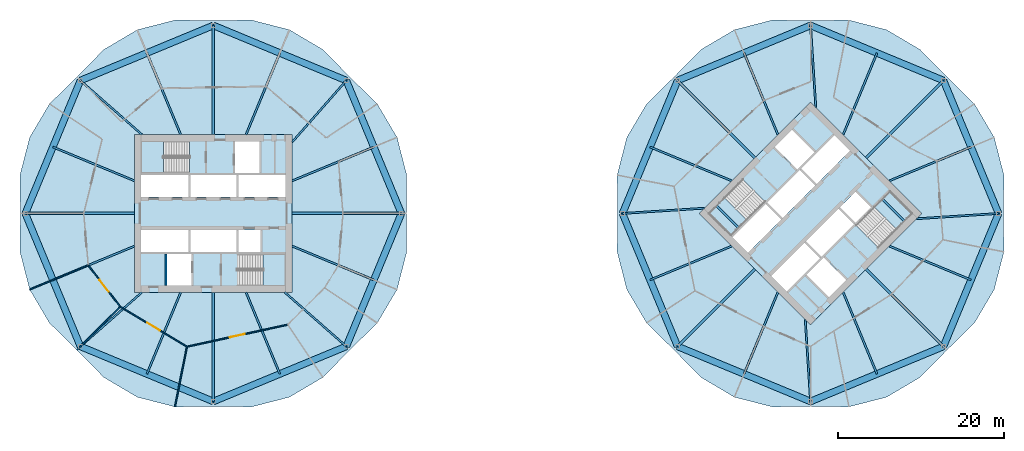
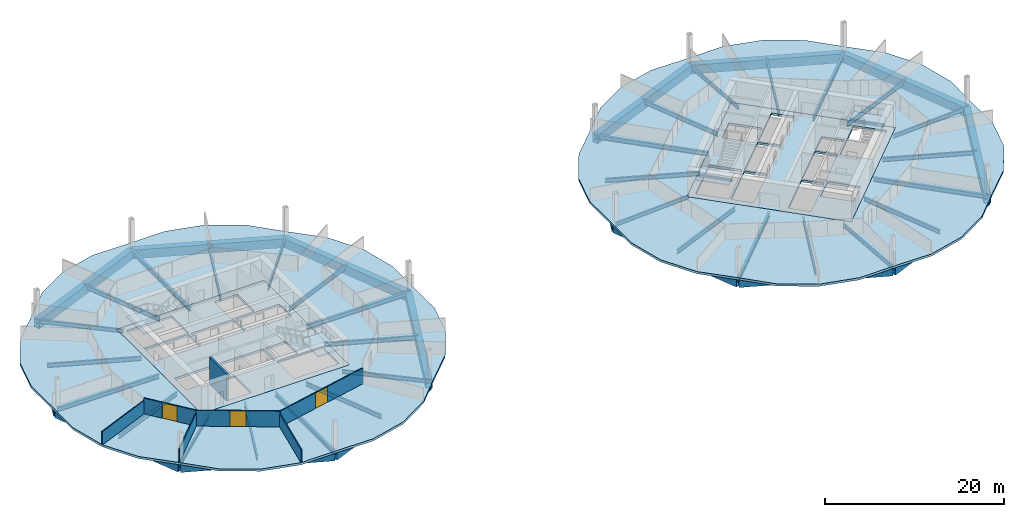
# One storey, part 3 of 9: 50 beams, 8 slabs, 7 walls, 3 doors, 3 openings, 4 elements without a shape of their own.
"""IFC4 building model written with IfcOpenShell, lengths in metres."""

from ifc_helpers import new_model, si_unit, direction, frame, frame_2d, origin, origin_2d, place, context, subcontext, project, spatial, polyline, rectangle, hollow_rectangle, i_section, outline, extrude, material, layer, layer_set, material_profile, profile_set, type_object, element, fill, aggregate, save


model = new_model("IFC4")

# Units and contexts
model_context = context("Model", 3, precision=1e-05, world=origin(), true_north=direction((0.0, 1.0)))
body_context = subcontext(model_context, "Body", "Model", "MODEL_VIEW")
ifc_project = project(units=[si_unit("LENGTHUNIT", "METRE"), si_unit("AREAUNIT", "SQUARE_METRE"), si_unit("VOLUMEUNIT", "CUBIC_METRE"), si_unit("PLANEANGLEUNIT", "RADIAN"), si_unit("MASSUNIT", "GRAM", prefix="KILO")], contexts=[model_context])

# Site, building, storey
site_placement = place(None, origin())
site = spatial("IfcSite", under=ifc_project, at=site_placement, CompositionType="ELEMENT")
building_placement = place(site_placement, origin())
building = spatial("IfcBuilding", under=site, at=building_placement, Name="Ogive Gate Towers", CompositionType="ELEMENT")
storey_placement = place(building_placement, frame((0.0, 0.0, 91.800048828125)))
storey = spatial("IfcBuildingStorey", under=building, at=storey_placement, Name="L21", CompositionType="ELEMENT", Elevation=91.800048828125)

# Beams
ifc_material_1 = material(Name="Steel SM460", Category="steel")
ifc_material_profile_1 = material_profile(ifc_material_1, hollow_rectangle(XDim=0.800048828125, YDim=1.199951171875, WallThickness=0.050048828125, at=origin_2d()), Name="BX 1200x800x50")
ifc_profile_set_1 = profile_set([ifc_material_profile_1], Name="Steel SM460")
beam_type_1 = type_object("IfcBeamType", Name="Edge girder BX 1200x800x50", PredefinedType="BEAM", material=ifc_profile_set_1)
for number, where, z_axis, x_axis, name in (
    (1, (-52.030029296875, -16.030029296875, -0.900146484375), (0.923878777792, -0.382685254414, 0.0), (0.382685254414, 0.923878777792, 0.0), "T1/L21/SBM017"),
    (2, (-36.0, -22.669921875, -0.900146484375), (0.923878777792, 0.382685254414, 0.0), (-0.382685254414, 0.923878777792, 0.0), "T1/L21/SBM018"),
    (3, (-19.969970703125, -16.030029296875, -0.900146484375), (0.382685254414, 0.923878777792, 0.0), (-0.923878777792, 0.382685254414, 0.0), "T1/L21/SBM019"),
    (4, (-13.330078125, 0.0, -0.900146484375), (-0.382685254414, 0.923878777792, 0.0), (-0.923878777792, -0.382685254414, 0.0), "T1/L21/SBM020"),
    (5, (-19.969970703125, 16.030029296875, -0.900146484375), (-0.923878777792, 0.382685254414, 0.0), (-0.382685254414, -0.923878777792, 0.0), "T1/L21/SBM021"),
    (6, (-36.0, 22.669921875, -0.900146484375), (-0.923878777792, -0.382685254414, 0.0), (0.382685254414, -0.923878777792, 0.0), "T1/L21/SBM022"),
    (7, (-52.030029296875, 16.030029296875, -0.900146484375), (-0.382685254414, -0.923878777792, 0.0), (0.923878777792, -0.382685254414, 0.0), "T1/L21/SBM023"),
    (8, (-58.669921875, 0.0, -0.900146484375), (0.382685254414, -0.923878777792, 0.0), (0.923878777792, 0.382685254414, 0.0), "T1/L21/SBM024"),
    (9, (19.969970703125, -16.030029296875, -0.900146484375), (0.923878777792, -0.382685254414, 0.0), (0.382685254414, 0.923878777792, 0.0), "T2/L21/SBM017"),
    (10, (36.0, -22.669921875, -0.900146484375), (0.923878777792, 0.382685254414, 0.0), (-0.382685254414, 0.923878777792, 0.0), "T2/L21/SBM018"),
    (11, (52.030029296875, -16.030029296875, -0.900146484375), (0.382685254414, 0.923878777792, 0.0), (-0.923878777792, 0.382685254414, 0.0), "T2/L21/SBM019"),
    (12, (58.669921875, 0.0, -0.900146484375), (-0.382685254414, 0.923878777792, 0.0), (-0.923878777792, -0.382685254414, 0.0), "T2/L21/SBM020"),
    (13, (52.030029296875, 16.030029296875, -0.900146484375), (-0.923878777792, 0.382685254414, 0.0), (-0.382685254414, -0.923878777792, 0.0), "T2/L21/SBM021"),
    (14, (36.0, 22.669921875, -0.900146484375), (-0.923878777792, -0.382685254414, 0.0), (0.382685254414, -0.923878777792, 0.0), "T2/L21/SBM022"),
    (15, (19.969970703125, 16.030029296875, -0.900146484375), (-0.382685254414, -0.923878777792, 0.0), (0.923878777792, -0.382685254414, 0.0), "T2/L21/SBM023"),
    (16, (13.330078125, 0.0, -0.900146484375), (0.382685254414, -0.923878777792, 0.0), (0.923878777792, 0.382685254414, 0.0), "T2/L21/SBM024"),
):
    element("IfcBeam", number, at=place(storey_placement, frame(where, z_axis=z_axis, x_axis=x_axis)), inside=storey, type_object=beam_type_1, Name=name, PredefinedType="BEAM", context=body_context, shape_type="SweptSolid", body=[
        extrude(hollow_rectangle(XDim=0.800048828125, YDim=1.199951171875, WallThickness=0.050048828125, at=origin_2d()), origin(), (0.0, 0.0, 1.0), 17.350830078125),
    ])
ifc_material_2 = material(Name="Concrete C40/50", Category="concrete")
ifc_material_profile_2 = material_profile(ifc_material_2, rectangle(XDim=0.25, YDim=0.300048828125, at=origin_2d()), Name="RC 250x300")
ifc_profile_set_2 = profile_set([ifc_material_profile_2], Name="Concrete C40/50")
beam_type_2 = type_object("IfcBeamType", Name="Landing bearer RC 250x300", PredefinedType="BEAM", material=ifc_profile_set_2)
for number, where, z_axis, x_axis, name in (
    (17, (24.650390625, 0.9541015625, 1.599853515625), (0.707106781187, -0.707106781187, 0.0), (0.707106781187, 0.707106781187, 0.0), "T2 L21 stair 1 landing bearer 1"),
    (18, (47.349609375, -0.9541015625, 1.599853515625), (-0.707106781187, 0.707106781187, 0.0), (-0.707106781187, -0.707106781187, 0.0), "T2 L21 stair 2 landing bearer 1"),
):
    element("IfcBeam", number, at=place(storey_placement, frame(where, z_axis=z_axis, x_axis=x_axis)), inside=storey, type_object=beam_type_2, Name=name, PredefinedType="BEAM", context=body_context, shape_type="SweptSolid", body=[
        extrude(rectangle(XDim=0.25, YDim=0.300048828125, at=origin_2d()), origin(), (0.0, 0.0, 1.0), 3.824951171875),
    ])
ifc_material_3 = material(Name="Steel SM355", Category="steel")
ifc_material_profile_3 = material_profile(ifc_material_3, i_section(OverallWidth=0.300048828125, OverallDepth=0.590087890625, WebThickness=0.012939453125, FlangeThickness=0.02490234375, FilletRadius=0.027099609375, at=origin_2d()), Name="HE 600 A")
ifc_profile_set_3 = profile_set([ifc_material_profile_3], Name="Steel SM355")
beam_type_3 = type_object("IfcBeamType", Name="Radial floor beam HE 600 A", PredefinedType="BEAM", material=ifc_profile_set_3)
for number, where, z_axis, x_axis, name in (
    (19, (-36.0, -9.5, -0.594970703125), (0.0, -1.0, 0.0), (1.0, 0.0, 0.0), "T1/L21/SBM003"),
    (20, (-26.5, 0.0, -0.594970703125), (1.0, 0.0, 0.0), (0.0, 1.0, 0.0), "T1/L21/SBM007"),
    (21, (-36.0, 9.5, -0.594970703125), (0.0, 1.0, 0.0), (-1.0, 0.0, 0.0), "T1/L21/SBM011"),
    (22, (-45.5, 0.0, -0.594970703125), (-1.0, 0.0, 0.0), (0.0, -1.0, 0.0), "T1/L21/SBM015"),
    (23, (29.282470703125, -6.717529296875, -0.594970703125), (-0.707106781187, -0.707106781187, 0.0), (0.707106781187, -0.707106781187, 0.0), "T2/L21/SBM001"),
    (24, (42.717529296875, -6.717529296875, -0.594970703125), (0.707106781187, -0.707106781187, 0.0), (0.707106781187, 0.707106781187, 0.0), "T2/L21/SBM005"),
    (25, (42.717529296875, 6.717529296875, -0.594970703125), (0.707106781187, 0.707106781187, 0.0), (-0.707106781187, 0.707106781187, 0.0), "T2/L21/SBM009"),
    (26, (29.282470703125, 6.717529296875, -0.594970703125), (-0.707106781187, 0.707106781187, 0.0), (-0.707106781187, -0.707106781187, 0.0), "T2/L21/SBM013"),
):
    element("IfcBeam", number, at=place(storey_placement, frame(where, z_axis=z_axis, x_axis=x_axis)), inside=storey, type_object=beam_type_3, Name=name, PredefinedType="BEAM", context=body_context, shape_type="SweptSolid", body=[
        extrude(i_section(OverallWidth=0.300048828125, OverallDepth=0.590087890625, WebThickness=0.012939453125, FlangeThickness=0.02490234375, FilletRadius=0.027099609375, at=origin_2d()), origin(), (0.0, 0.0, 1.0), 13.169921875),
    ])
ifc_material_profile_4 = material_profile(ifc_material_3, i_section(OverallWidth=0.2099609375, OverallDepth=0.550048828125, WebThickness=0.010986328125, FlangeThickness=0.01708984375, FilletRadius=0.02392578125, at=origin_2d()), Name="IPE 550")
ifc_profile_set_4 = profile_set([ifc_material_profile_4], Name="Steel SM355")
beam_type_4 = type_object("IfcBeamType", Name="Radial floor beam IPE 550", PredefinedType="BEAM", material=ifc_profile_set_4)
for number, where, z_axis, x_axis, name in (
    (27, (-44.60009765625, -9.5, -0.574951171875), (-0.751130036477, -0.660154276137, 0.0), (0.660154276137, -0.751130036477, 0.0), "T1/L21/SBM001"),
    (28, (-27.39990234375, -9.5, -0.574951171875), (0.751130036477, -0.660154276137, 0.0), (0.660154276137, 0.751130036477, 0.0), "T1/L21/SBM005"),
    (29, (-26.5, 8.60009765625, -0.574951171875), (0.660154276137, 0.751130036477, 0.0), (-0.751130036477, 0.660154276137, 0.0), "T1/L21/SBM009"),
    (30, (-44.60009765625, 9.5, -0.574951171875), (-0.751130036477, 0.660154276137, 0.0), (-0.660154276137, -0.751130036477, 0.0), "T1/L21/SBM013"),
):
    element("IfcBeam", number, at=place(storey_placement, frame(where, z_axis=z_axis, x_axis=x_axis)), inside=storey, type_object=beam_type_4, Name=name, PredefinedType="BEAM", context=body_context, shape_type="SweptSolid", body=[
        extrude(i_section(OverallWidth=0.2099609375, OverallDepth=0.550048828125, WebThickness=0.010986328125, FlangeThickness=0.01708984375, FilletRadius=0.02392578125, at=origin_2d()), origin(), (0.0, 0.0, 1.0), 9.8916015625),
    ])
for number, where, z_axis, x_axis, name in (
    (31, (35.363525390625, -12.798583984375, -0.574951171875), (0.064343427717, -0.997927814679, 0.0), (0.997927814679, 0.064343427717, 0.0), "T2/L21/SBM003"),
    (32, (48.798583984375, -0.636474609375, -0.574951171875), (0.997927814679, 0.064343427717, 0.0), (-0.064343427717, 0.997927814679, 0.0), "T2/L21/SBM007"),
    (33, (36.636474609375, 12.798583984375, -0.574951171875), (-0.064343427717, 0.997927814679, 0.0), (-0.997927814679, -0.064343427717, 0.0), "T2/L21/SBM011"),
    (34, (23.201416015625, 0.636474609375, -0.574951171875), (-0.997927814679, -0.064343427717, 0.0), (0.064343427717, -0.997927814679, 0.0), "T2/L21/SBM015"),
):
    element("IfcBeam", number, at=place(storey_placement, frame(where, z_axis=z_axis, x_axis=x_axis)), inside=storey, type_object=beam_type_4, Name=name, PredefinedType="BEAM", context=body_context, shape_type="SweptSolid", body=[
        extrude(i_section(OverallWidth=0.2099609375, OverallDepth=0.550048828125, WebThickness=0.010986328125, FlangeThickness=0.01708984375, FilletRadius=0.02392578125, at=origin_2d()), origin(), (0.0, 0.0, 1.0), 9.891845703125),
    ])
ifc_material_profile_5 = material_profile(ifc_material_3, i_section(OverallWidth=0.219970703125, OverallDepth=0.60009765625, WebThickness=0.011962890625, FlangeThickness=0.01904296875, FilletRadius=0.02392578125, at=origin_2d()), Name="IPE 600")
ifc_profile_set_5 = profile_set([ifc_material_profile_5], Name="Steel SM355")
beam_type_5 = type_object("IfcBeamType", Name="Radial floor beam IPE 600", PredefinedType="BEAM", material=ifc_profile_set_5)
for number, where, z_axis, x_axis, name in (
    (35, (-39.93505859375, -9.5, -0.60009765625), (-0.382686161148, -0.923878402208, 0.0), (0.923878402208, -0.382686161148, 0.0), "T1/L21/SBM002"),
    (36, (-32.06494140625, -9.5, -0.60009765625), (0.382686161148, -0.923878402208, 0.0), (0.923878402208, 0.382686161148, 0.0), "T1/L21/SBM004"),
    (37, (-26.5, -3.93505859375, -0.60009765625), (0.923878402208, -0.382686161148, 0.0), (0.382686161148, 0.923878402208, 0.0), "T1/L21/SBM006"),
    (38, (-26.5, 3.93505859375, -0.60009765625), (0.923878402208, 0.382686161148, 0.0), (-0.382686161148, 0.923878402208, 0.0), "T1/L21/SBM008"),
    (39, (-32.06494140625, 9.5, -0.60009765625), (0.382686161148, 0.923878402208, 0.0), (-0.923878402208, 0.382686161148, 0.0), "T1/L21/SBM010"),
    (40, (-39.93505859375, 9.5, -0.60009765625), (-0.382686161148, 0.923878402208, 0.0), (-0.923878402208, -0.382686161148, 0.0), "T1/L21/SBM012"),
    (41, (-45.5, 3.93505859375, -0.60009765625), (-0.923878402208, 0.382686161148, 0.0), (-0.382686161148, -0.923878402208, 0.0), "T1/L21/SBM014"),
    (42, (-45.5, -3.93505859375, -0.60009765625), (-0.923878402208, -0.382686161148, 0.0), (0.382686161148, -0.923878402208, 0.0), "T1/L21/SBM016"),
    (43, (32.06494140625, -9.5, -0.60009765625), (-0.382686161148, -0.923878402208, 0.0), (0.923878402208, -0.382686161148, 0.0), "T2/L21/SBM002"),
    (44, (39.93505859375, -9.5, -0.60009765625), (0.382686161148, -0.923878402208, 0.0), (0.923878402208, 0.382686161148, 0.0), "T2/L21/SBM004"),
    (45, (45.5, -3.93505859375, -0.60009765625), (0.923878402208, -0.382686161148, 0.0), (0.382686161148, 0.923878402208, 0.0), "T2/L21/SBM006"),
    (46, (45.5, 3.93505859375, -0.60009765625), (0.923878402208, 0.382686161148, 0.0), (-0.382686161148, 0.923878402208, 0.0), "T2/L21/SBM008"),
    (47, (39.93505859375, 9.5, -0.60009765625), (0.382686161148, 0.923878402208, 0.0), (-0.923878402208, 0.382686161148, 0.0), "T2/L21/SBM010"),
    (48, (32.06494140625, 9.5, -0.60009765625), (-0.382686161148, 0.923878402208, 0.0), (-0.923878402208, -0.382686161148, 0.0), "T2/L21/SBM012"),
    (49, (26.5, 3.93505859375, -0.60009765625), (-0.923878402208, 0.382686161148, 0.0), (-0.382686161148, -0.923878402208, 0.0), "T2/L21/SBM014"),
    (50, (26.5, -3.93505859375, -0.60009765625), (-0.923878402208, -0.382686161148, 0.0), (0.382686161148, -0.923878402208, 0.0), "T2/L21/SBM016"),
):
    element("IfcBeam", number, at=place(storey_placement, frame(where, z_axis=z_axis, x_axis=x_axis)), inside=storey, type_object=beam_type_5, Name=name, PredefinedType="BEAM", context=body_context, shape_type="SweptSolid", body=[
        extrude(i_section(OverallWidth=0.219970703125, OverallDepth=0.60009765625, WebThickness=0.011962890625, FlangeThickness=0.01904296875, FilletRadius=0.02392578125, at=origin_2d()), origin(), (0.0, 0.0, 1.0), 10.66162109375),
    ])

# Slabs
ifc_layer_1 = layer(ifc_material_2, 0.300048828125)
ifc_layer_set_1 = layer_set([ifc_layer_1], Name="Core slab C40/50 300 mm")
slab_type_1 = type_object("IfcSlabType", Name="Core slab C40/50 300 mm", PredefinedType="FLOOR", material=ifc_layer_set_1)
slab_1_placement = place(storey_placement, frame((0.0, 0.0, -0.300048828125)))
element("IfcSlab", 51, at=slab_1_placement, inside=storey, type_object=slab_type_1, Name="T1 L21 core slab", PredefinedType="FLOOR", context=body_context, shape_type="SweptSolid", body=[
    extrude(outline(polyline([(-26.5, 9.5), (-26.5, -9.5), (-45.5, -9.5), (-45.5, 9.5), (-26.5, 9.5)]), holes=[polyline([(-39.02490234375, 4.625), (-44.699951171875, 4.625), (-44.699951171875, 2.0), (-39.02490234375, 2.0), (-39.02490234375, 4.625)]), polyline([(-33.22509765625, 2.0), (-33.22509765625, 4.625), (-38.77490234375, 4.625), (-38.77490234375, 2.0), (-33.22509765625, 2.0)]), polyline([(-32.97509765625, 2.0), (-27.300048828125, 2.0), (-27.300048828125, 4.625), (-32.97509765625, 4.625), (-32.97509765625, 2.0)]), polyline([(-44.699951171875, -2.0), (-44.699951171875, -4.625), (-39.02490234375, -4.625), (-39.02490234375, -2.0), (-44.699951171875, -2.0)]), polyline([(-33.22509765625, -2.0), (-38.77490234375, -2.0), (-38.77490234375, -4.625), (-33.22509765625, -4.625), (-33.22509765625, -2.0)]), polyline([(-30.324951171875, -4.625), (-30.324951171875, -2.0), (-32.97509765625, -2.0), (-32.97509765625, -4.625), (-30.324951171875, -4.625)]), polyline([(-33.375, 4.875), (-30.425048828125, 4.875), (-30.425048828125, 8.699951171875), (-33.375, 8.699951171875), (-33.375, 4.875)]), polyline([(-41.574951171875, -4.875), (-41.574951171875, -8.699951171875), (-38.625, -8.699951171875), (-38.625, -4.875), (-41.574951171875, -4.875)]), polyline([(-44.699951171875, 4.875), (-38.885009765625, 4.875), (-38.885009765625, 8.699951171875), (-44.699951171875, 8.699951171875), (-44.699951171875, 4.875)]), polyline([(-27.300048828125, -8.699951171875), (-27.300048828125, -4.875), (-33.114990234375, -4.875), (-33.114990234375, -8.699951171875), (-27.300048828125, -8.699951171875)])]), origin(), (0.0, 0.0, 1.0), 0.300048828125),
])
slab_2_placement = place(storey_placement, frame((0.0, 0.0, -0.300048828125)))
element("IfcSlab", 52, at=slab_2_placement, inside=storey, type_object=slab_type_1, Name="T2 L21 core slab", PredefinedType="FLOOR", context=body_context, shape_type="SweptSolid", body=[
    extrude(outline(polyline([(36.0, 13.43505859375), (49.43505859375, 0.0), (36.0, -13.43505859375), (22.56494140625, 0.0), (36.0, 13.43505859375)]), holes=[polyline([(30.590576171875, 1.13134765625), (26.577880859375, -2.881591796875), (28.43408203125, -4.737548828125), (32.44677734375, -0.724853515625), (30.590576171875, 1.13134765625)]), polyline([(36.548095703125, 3.37646484375), (34.69189453125, 5.232666015625), (30.767333984375, 1.30810546875), (32.62353515625, -0.548095703125), (36.548095703125, 3.37646484375)]), polyline([(36.724853515625, 3.55322265625), (40.737548828125, 7.56591796875), (38.881591796875, 9.422119140625), (34.86865234375, 5.409423828125), (36.724853515625, 3.55322265625)]), polyline([(31.262451171875, -7.56591796875), (33.118408203125, -9.422119140625), (37.13134765625, -5.409423828125), (35.275146484375, -3.55322265625), (31.262451171875, -7.56591796875)]), polyline([(39.37646484375, 0.548095703125), (35.451904296875, -3.37646484375), (37.30810546875, -5.232666015625), (41.232666015625, -1.30810546875), (39.37646484375, 0.548095703125)]), polyline([(43.283203125, 0.742431640625), (41.427001953125, 2.5986328125), (39.55322265625, 0.724853515625), (41.409423828125, -1.13134765625), (43.283203125, 0.742431640625)]), polyline([(34.408935546875, 5.30322265625), (36.4951171875, 7.389404296875), (33.790283203125, 10.093994140625), (31.704345703125, 8.008056640625), (34.408935546875, 5.30322265625)]), polyline([(35.5048828125, -7.389404296875), (38.209716796875, -10.093994140625), (40.295654296875, -8.008056640625), (37.591064453125, -5.30322265625), (35.5048828125, -7.389404296875)]), polyline([(26.40087890625, -2.70458984375), (30.512939453125, 1.406982421875), (27.80810546875, 4.11181640625), (23.6962890625, 0.0), (26.40087890625, -2.70458984375)]), polyline([(48.3037109375, 0.0), (45.59912109375, 2.70458984375), (41.487060546875, -1.406982421875), (44.19189453125, -4.11181640625), (48.3037109375, 0.0)])]), origin(), (0.0, 0.0, 1.0), 0.300048828125),
])
ifc_material_4 = material(Name="Concrete C35/45", Category="concrete")
ifc_layer_2 = layer(ifc_material_4, 0.300048828125)
ifc_layer_set_2 = layer_set([ifc_layer_2], Name="Floor slab 300")
slab_type_2 = type_object("IfcSlabType", Name="Floor slab 300", PredefinedType="FLOOR", material=ifc_layer_set_2)
slab_3_placement = place(storey_placement, frame((0.0, 0.0, -0.300048828125)))
element("IfcSlab", 53, at=slab_3_placement, inside=storey, type_object=slab_type_2, Name="T1/L21/SSL001", PredefinedType="FLOOR", context=body_context, shape_type="SweptSolid", body=[
    extrude(outline(polyline([(-12.686767578125, -4.63720703125), (-12.72998046875, 0.0), (-12.686767578125, 4.63720703125), (-13.8544921875, 9.1728515625), (-16.236083984375, 13.205810546875), (-19.545654296875, 16.454345703125), (-22.794189453125, 19.763916015625), (-26.8271484375, 22.1455078125), (-31.36279296875, 23.313232421875), (-36.0, 23.27001953125), (-40.63720703125, 23.313232421875), (-45.1728515625, 22.1455078125), (-49.205810546875, 19.763916015625), (-52.454345703125, 16.454345703125), (-55.763916015625, 13.205810546875), (-58.1455078125, 9.1728515625), (-59.313232421875, 4.63720703125), (-59.27001953125, 0.0), (-59.313232421875, -4.63720703125), (-58.1455078125, -9.1728515625), (-55.763916015625, -13.205810546875), (-52.454345703125, -16.454345703125), (-49.205810546875, -19.763916015625), (-45.1728515625, -22.1455078125), (-40.63720703125, -23.313232421875), (-36.0, -23.27001953125), (-31.36279296875, -23.313232421875), (-26.8271484375, -22.1455078125), (-22.794189453125, -19.763916015625), (-19.545654296875, -16.454345703125), (-16.236083984375, -13.205810546875), (-13.8544921875, -9.1728515625), (-12.686767578125, -4.63720703125)]), holes=[polyline([(-26.5, -9.5), (-45.5, -9.5), (-45.5, 9.5), (-26.5, 9.5), (-26.5, -9.5)])]), origin(), (0.0, 0.0, 1.0), 0.300048828125),
])
slab_4_placement = place(storey_placement, frame((0.0, 0.0, -0.300048828125)))
element("IfcSlab", 54, at=slab_4_placement, inside=storey, type_object=slab_type_2, Name="T2/L21/SSL001", PredefinedType="FLOOR", context=body_context, shape_type="SweptSolid", body=[
    extrude(outline(polyline([(59.313232421875, -4.63720703125), (59.27001953125, 0.0), (59.313232421875, 4.63720703125), (58.1455078125, 9.1728515625), (55.763916015625, 13.205810546875), (52.454345703125, 16.454345703125), (49.205810546875, 19.763916015625), (45.1728515625, 22.1455078125), (40.63720703125, 23.313232421875), (36.0, 23.27001953125), (31.36279296875, 23.313232421875), (26.8271484375, 22.1455078125), (22.794189453125, 19.763916015625), (19.545654296875, 16.454345703125), (16.236083984375, 13.205810546875), (13.8544921875, 9.1728515625), (12.686767578125, 4.63720703125), (12.72998046875, 0.0), (12.686767578125, -4.63720703125), (13.8544921875, -9.1728515625), (16.236083984375, -13.205810546875), (19.545654296875, -16.454345703125), (22.794189453125, -19.763916015625), (26.8271484375, -22.1455078125), (31.36279296875, -23.313232421875), (36.0, -23.27001953125), (40.63720703125, -23.313232421875), (45.1728515625, -22.1455078125), (49.205810546875, -19.763916015625), (52.454345703125, -16.454345703125), (55.763916015625, -13.205810546875), (58.1455078125, -9.1728515625), (59.313232421875, -4.63720703125)]), holes=[polyline([(49.43505859375, 0.0), (36.0, -13.43505859375), (22.56494140625, 0.0), (36.0, 13.43505859375), (49.43505859375, 0.0)])]), origin(), (0.0, 0.0, 1.0), 0.300048828125),
])

# Stair, slab
stair_type = type_object("IfcStairType", Name="Escape stair 1840 wide", PredefinedType="HALF_TURN_STAIR", material=ifc_material_2)
stair_1_placement = place(storey_placement, origin())
stair_1 = element("IfcStair", 55, at=stair_1_placement, inside=storey, type_object=stair_type, Name="L21 Escape stair 1", PredefinedType="HALF_TURN_STAIR")
ifc_layer_3 = layer(ifc_material_2, 0.199951171875)
ifc_layer_set_3 = layer_set([ifc_layer_3], Name="Stair landing 200 mm")
slab_type_3 = type_object("IfcSlabType", Name="Stair landing 200 mm", PredefinedType="LANDING", material=ifc_layer_set_3)
slab_5_placement = place(storey_placement, frame((0.0, 0.0, 1.75)))
slab_5 = element("IfcSlab", 56, at=slab_5_placement, type_object=slab_type_3, Name="ST1 landing 1", PredefinedType="LANDING", context=body_context, shape_type="SweptSolid", body=[
    extrude(outline(polyline([(-42.00146484375, 8.699951171875), (-44.699951171875, 8.699951171875), (-44.699951171875, 4.875), (-42.00146484375, 4.875), (-42.00146484375, 8.699951171875)])), origin(), (0.0, 0.0, 1.0), 0.199951171875),
])
aggregate(stair_1, [slab_5])

stair_2_placement = place(storey_placement, origin())
stair_2 = element("IfcStair", 57, at=stair_2_placement, inside=storey, type_object=stair_type, Name="L21 Escape stair 2", PredefinedType="HALF_TURN_STAIR")
slab_6_placement = place(storey_placement, frame((0.0, 0.0, 1.75)))
slab_6 = element("IfcSlab", 58, at=slab_6_placement, type_object=slab_type_3, Name="ST2 landing 1", PredefinedType="LANDING", context=body_context, shape_type="SweptSolid", body=[
    extrude(outline(polyline([(-29.99853515625, -8.699951171875), (-27.300048828125, -8.699951171875), (-27.300048828125, -4.875), (-29.99853515625, -4.875), (-29.99853515625, -8.699951171875)])), origin(), (0.0, 0.0, 1.0), 0.199951171875),
])
aggregate(stair_2, [slab_6])

stair_3_placement = place(storey_placement, origin())
stair_3 = element("IfcStair", 59, at=stair_3_placement, inside=storey, type_object=stair_type, Name="L21 Escape stair 1", PredefinedType="HALF_TURN_STAIR")
slab_7_placement = place(storey_placement, frame((0.0, 0.0, 1.75)))
slab_7 = element("IfcSlab", 60, at=slab_7_placement, type_object=slab_type_3, Name="ST1 landing 1", PredefinedType="LANDING", context=body_context, shape_type="SweptSolid", body=[
    extrude(outline(polyline([(25.6044921875, 1.908203125), (23.6962890625, 0.0), (26.401123046875, -2.70458984375), (28.309326171875, -0.79638671875), (25.6044921875, 1.908203125)])), origin(), (0.0, 0.0, 1.0), 0.199951171875),
])
aggregate(stair_3, [slab_7])

stair_4_placement = place(storey_placement, origin())
stair_4 = element("IfcStair", 61, at=stair_4_placement, inside=storey, type_object=stair_type, Name="L21 Escape stair 2", PredefinedType="HALF_TURN_STAIR")
slab_8_placement = place(storey_placement, frame((0.0, 0.0, 1.75)))
slab_8 = element("IfcSlab", 62, at=slab_8_placement, type_object=slab_type_3, Name="ST2 landing 1", PredefinedType="LANDING", context=body_context, shape_type="SweptSolid", body=[
    extrude(outline(polyline([(46.3955078125, -1.908203125), (48.3037109375, 0.0), (45.598876953125, 2.70458984375), (43.690673828125, 0.79638671875), (46.3955078125, -1.908203125)])), origin(), (0.0, 0.0, 1.0), 0.199951171875),
])
aggregate(stair_4, [slab_8])

# Walls
ifc_material_5 = material(Name="Gypsum board partition")
ifc_layer_4 = layer(ifc_material_5, 0.125)
ifc_layer_set_4 = layer_set([ifc_layer_4], Name="Partition 125")
wall_type_1 = type_object("IfcWallType", Name="Partition 125", PredefinedType="PARTITIONING", material=ifc_layer_set_4)
wall_1_placement = place(storey_placement, frame((-58.1455078125, -9.1728515625, 0.0), z_axis=(0.0, 0.0, 1.0), x_axis=(0.923883306307, 0.382674321488, 0.0)))
element("IfcWall", 63, at=wall_1_placement, inside=storey, type_object=wall_type_1, Name="Partition T1-L21-009", PredefinedType="PARTITIONING", context=body_context, shape_type="SweptSolid", body=[
    extrude(rectangle(XDim=7.57666015625, YDim=0.125, at=frame_2d((3.788330078125, 0.0))), origin(), (0.0, 0.0, 1.0), 1.800048828125),
])
wall_2_placement = place(storey_placement, frame((-52.45361328125, -16.45361328125, 0.0), z_axis=(0.0, 0.0, 1.0), x_axis=(0.707106781187, 0.707106781187, 0.0)))
element("IfcWall", 64, at=wall_2_placement, inside=storey, type_object=wall_type_1, Name="Partition T1-L21-010", PredefinedType="PARTITIONING", context=body_context, shape_type="SweptSolid", body=[
    extrude(rectangle(XDim=7.326171875, YDim=0.125, at=frame_2d((3.6630859375, 0.0))), origin(), (0.0, 0.0, 1.0), 1.800048828125),
])
wall_3_placement = place(storey_placement, frame((-40.6298828125, -23.314208984375, 0.0), z_axis=(0.0, 0.0, 1.0), x_axis=(0.194776598736, 0.980847631686, 0.0)))
element("IfcWall", 65, at=wall_3_placement, inside=storey, type_object=wall_type_1, Name="Partition T1-L21-011", PredefinedType="PARTITIONING", context=body_context, shape_type="SweptSolid", body=[
    extrude(rectangle(XDim=7.326416015625, YDim=0.125, at=frame_2d((3.6630859375, 0.0))), origin(), (0.0, 0.0, 1.0), 1.800048828125),
])

# Wall, opening, door
wall_4_placement = place(storey_placement, frame((-51.087890625, -6.24951171875, 0.0), z_axis=(0.0, 0.0, 1.0), x_axis=(0.612549874442, -0.790431939714, 0.0)))
wall_4 = element("IfcWall", 66, at=wall_4_placement, inside=storey, type_object=wall_type_1, Name="Partition T1-L21-020", PredefinedType="PARTITIONING", context=body_context, shape_type="SweptSolid", body=[
    extrude(rectangle(XDim=6.2998046875, YDim=0.125, at=frame_2d((3.14990234375, 0.0))), origin(), (0.0, 0.0, 1.0), 2.139892578125),
])
opening_1_placement = place(wall_4_placement, frame((2.25, 0.0, 0.0)))
opening_1 = element("IfcOpeningElement", 67, at=opening_1_placement, cuts=wall_4, Name="Opening T1-L21-D06", PredefinedType="OPENING", context=body_context, shape_type="SweptSolid", body=[
    extrude(rectangle(XDim=1.800048828125, YDim=2.10009765625, at=frame_2d((0.89990234375, 1.050048828125))), frame((0.0, 0.072509765625, 0.0), z_axis=(0.0, -1.0, 0.0), x_axis=(1.0, 0.0, 0.0)), (0.0, 0.0, 1.0), 0.14501953125),
])
ifc_material_6 = material(Name="Timber door", Category="wood")
door_type = type_object("IfcDoorType", Name="Door pair 1800", OperationType="NOTDEFINED", PredefinedType="DOOR", material=ifc_material_6)
door_1_placement = place(opening_1_placement, origin())
door_1 = element("IfcDoor", 68, at=door_1_placement, inside=storey, type_object=door_type, Name="Door T1-L21-D06", OperationType="DOUBLE_DOOR_DOUBLE_SWING", OverallHeight=2.10009765625, OverallWidth=1.800048828125, PredefinedType="DOOR", context=body_context, shape_type="SweptSolid", body=[
    extrude(rectangle(XDim=1.800048828125, YDim=2.10009765625, at=frame_2d((0.89990234375, 1.050048828125))), frame((0.0, 0.02490234375, 0.0), z_axis=(0.0, -1.0, 0.0), x_axis=(1.0, 0.0, 0.0)), (0.0, 0.0, 1.0), 0.050048828125),
])
fill(opening_1, door_1)

wall_5_placement = place(storey_placement, frame((-47.22900390625, -11.22900390625, 0.0), z_axis=(0.0, 0.0, 1.0), x_axis=(0.856791819127, -0.515662465841, 0.0)))
wall_5 = element("IfcWall", 69, at=wall_5_placement, inside=storey, type_object=wall_type_1, Name="Partition T1-L21-021", PredefinedType="PARTITIONING", context=body_context, shape_type="SweptSolid", body=[
    extrude(rectangle(XDim=9.3818359375, YDim=0.125, at=frame_2d((4.69091796875, 0.0))), origin(), (0.0, 0.0, 1.0), 2.139892578125),
])
opening_2_placement = place(wall_5_placement, frame((3.791015625, 0.0, 0.0)))
opening_2 = element("IfcOpeningElement", 70, at=opening_2_placement, cuts=wall_5, Name="Opening T1-L21-D07", PredefinedType="OPENING", context=body_context, shape_type="SweptSolid", body=[
    extrude(rectangle(XDim=1.800048828125, YDim=2.10009765625, at=frame_2d((0.89990234375, 1.050048828125))), frame((0.0, 0.072509765625, 0.0), z_axis=(0.0, -1.0, 0.0), x_axis=(1.0, 0.0, 0.0)), (0.0, 0.0, 1.0), 0.14501953125),
])
door_2_placement = place(opening_2_placement, origin())
door_2 = element("IfcDoor", 71, at=door_2_placement, inside=storey, type_object=door_type, Name="Door T1-L21-D07", OperationType="DOUBLE_DOOR_DOUBLE_SWING", OverallHeight=2.10009765625, OverallWidth=1.800048828125, PredefinedType="DOOR", context=body_context, shape_type="SweptSolid", body=[
    extrude(rectangle(XDim=1.800048828125, YDim=2.10009765625, at=frame_2d((0.89990234375, 1.050048828125))), frame((0.0, 0.02490234375, 0.0), z_axis=(0.0, -1.0, 0.0), x_axis=(1.0, 0.0, 0.0)), (0.0, 0.0, 1.0), 0.050048828125),
])
fill(opening_2, door_2)

wall_6_placement = place(storey_placement, frame((-39.190673828125, -16.06689453125, 0.0), z_axis=(0.0, 0.0, 1.0), x_axis=(0.976925481372, 0.213580438821, 0.0)))
wall_6 = element("IfcWall", 72, at=wall_6_placement, inside=storey, type_object=wall_type_1, Name="Partition T1-L21-022", PredefinedType="PARTITIONING", context=body_context, shape_type="SweptSolid", body=[
    extrude(rectangle(XDim=12.443603515625, YDim=0.125, at=frame_2d((6.2216796875, 0.0))), origin(), (0.0, 0.0, 1.0), 2.139892578125),
])
opening_3_placement = place(wall_6_placement, frame((5.322021484375, 0.0, 0.0)))
opening_3 = element("IfcOpeningElement", 73, at=opening_3_placement, cuts=wall_6, Name="Opening T1-L21-D08", PredefinedType="OPENING", context=body_context, shape_type="SweptSolid", body=[
    extrude(rectangle(XDim=1.800048828125, YDim=2.10009765625, at=frame_2d((0.89990234375, 1.050048828125))), frame((0.0, 0.072509765625, 0.0), z_axis=(0.0, -1.0, 0.0), x_axis=(1.0, 0.0, 0.0)), (0.0, 0.0, 1.0), 0.14501953125),
])
door_3_placement = place(opening_3_placement, origin())
door_3 = element("IfcDoor", 74, at=door_3_placement, inside=storey, type_object=door_type, Name="Door T1-L21-D08", OperationType="DOUBLE_DOOR_DOUBLE_SWING", OverallHeight=2.10009765625, OverallWidth=1.800048828125, PredefinedType="DOOR", context=body_context, shape_type="SweptSolid", body=[
    extrude(rectangle(XDim=1.800048828125, YDim=2.10009765625, at=frame_2d((0.89990234375, 1.050048828125))), frame((0.0, 0.02490234375, 0.0), z_axis=(0.0, -1.0, 0.0), x_axis=(1.0, 0.0, 0.0)), (0.0, 0.0, 1.0), 0.050048828125),
])
fill(opening_3, door_3)

# Wall
ifc_material_7 = material(Name="Concrete C60/75", Category="concrete")
ifc_layer_5 = layer(ifc_material_7, 0.25)
ifc_layer_set_5 = layer_set([ifc_layer_5], Name="Shaft wall 250 mm")
wall_type_2 = type_object("IfcWallType", Name="Shaft wall 250 mm", PredefinedType="SHEAR", material=ifc_layer_set_5)
wall_7_placement = place(storey_placement, frame((-41.699951171875, -8.699951171875, 0.0), z_axis=(0.0, 0.0, 1.0), x_axis=(0.0, 1.0, 0.0)))
element("IfcWall", 75, at=wall_7_placement, inside=storey, type_object=wall_type_2, Name="T1 L21 Shaft wall 250 mm", PredefinedType="SHEAR", context=body_context, shape_type="SweptSolid", body=[
    extrude(rectangle(XDim=3.824951171875, YDim=0.25, at=frame_2d((1.91259765625, 0.0))), origin(), (0.0, 0.0, 1.0), 3.599853515625),
])

save(model, "model.ifc")
